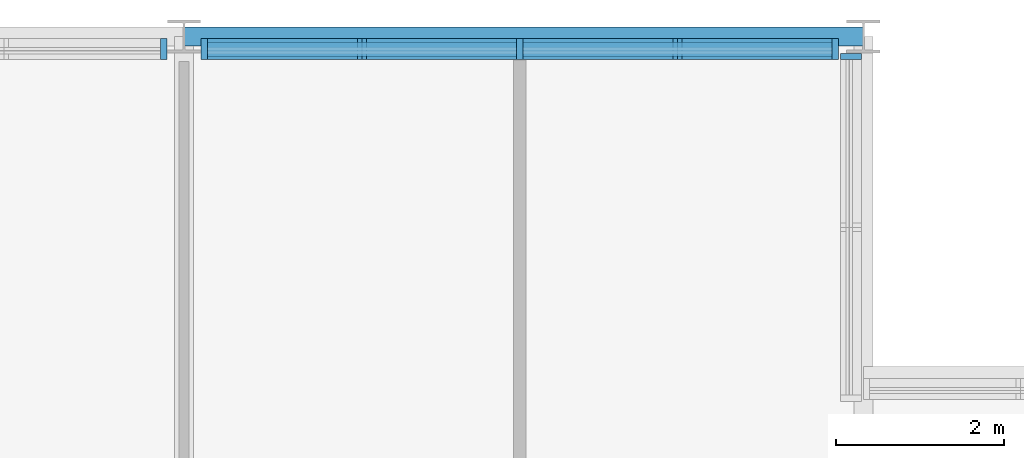
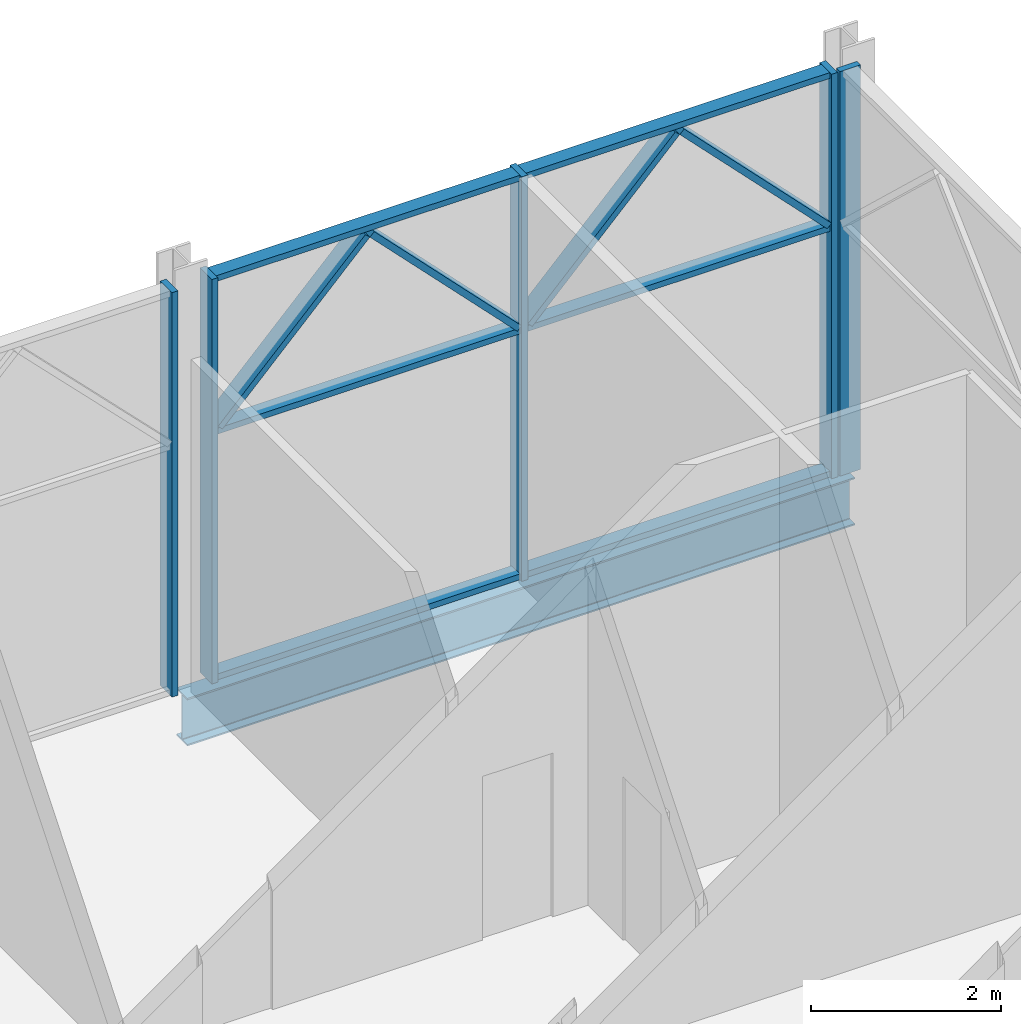
# One storey, part 13 of 26: 15 members, 1 beam, 3 elements without a shape of their own.
"""IFC4 building model written with IfcOpenShell, lengths in metres."""

from ifc_helpers import new_model, si_unit, direction, frame, origin, origin_2d, place, context, subcontext, project, spatial, rectangle, i_section, extrude, material, material_profile, profile_set, type_object, element, aggregate, save


model = new_model("IFC4")

# Units and contexts
model_context = context("Model", 3, precision=1e-05, world=origin(), true_north=direction((0.0, 1.0)))
body_context = subcontext(model_context, "Body", "Model", "MODEL_VIEW")
ifc_project = project(units=[si_unit("LENGTHUNIT", "METRE"), si_unit("AREAUNIT", "SQUARE_METRE"), si_unit("VOLUMEUNIT", "CUBIC_METRE"), si_unit("PLANEANGLEUNIT", "RADIAN"), si_unit("MASSUNIT", "GRAM", prefix="KILO")], contexts=[model_context])

# Site, building, storey
site_placement = place(None, origin())
site = spatial("IfcSite", under=ifc_project, at=site_placement, CompositionType="ELEMENT")
building_placement = place(site_placement, origin())
building = spatial("IfcBuilding", under=site, at=building_placement, Name="Kopane Lantern Tower", CompositionType="ELEMENT")
storey_placement = place(building_placement, frame((0.0, 0.0, 293.10009765625)))
storey = spatial("IfcBuildingStorey", under=building, at=storey_placement, Name="L75", CompositionType="ELEMENT", Elevation=293.10009765625)

# Beam
ifc_material_1 = material(Name="Steel S355JR", Category="steel")
ifc_material_profile_1 = material_profile(ifc_material_1, i_section(OverallWidth=0.22900390625, OverallDepth=0.6123046875, WebThickness=0.011962890625, FlangeThickness=0.01953125, FilletRadius=0.0126953125, at=origin_2d()), Name="UB 610x229x125")
ifc_profile_set_1 = profile_set([ifc_material_profile_1], Name="Steel S355JR")
beam_type = type_object("IfcBeamType", Name="GIRDER UB 610x229x125", PredefinedType="BEAM", material=ifc_profile_set_1)
beam_placement = place(storey_placement, frame((40.5, 64.800048828125, -0.51611328125), z_axis=(1.0, 0.0, 0.0), x_axis=(0.0, 1.0, 0.0)))
element("IfcBeam", 1, at=beam_placement, inside=storey, type_object=beam_type, Name="Girder L75", PredefinedType="BEAM", context=body_context, shape_type="SweptSolid", body=[
    extrude(i_section(OverallWidth=0.22900390625, OverallDepth=0.6123046875, WebThickness=0.011962890625, FlangeThickness=0.01953125, FilletRadius=0.0126953125, at=origin_2d()), origin(), (0.0, 0.0, 1.0), 8.10009765625),
])

# Curtain wall, member
ifc_material_2 = material(Name="Aluminium and clear glass", Category="aluminium")
curtain_wall_type = type_object("IfcCurtainWallType", Name="CURTAIN WALL CW5 SKY RESTAURANT", PredefinedType="USERDEFINED", material=ifc_material_2)
curtain_wall_1_placement = place(storey_placement, origin())
curtain_wall_1 = element("IfcCurtainWall", 2, at=curtain_wall_1_placement, inside=storey, type_object=curtain_wall_type, Name="Curtain wall CW5 E L75", ObjectType="CURTAIN WALL", PredefinedType="USERDEFINED")
ifc_material_3 = material(Name="Aluminium", Category="aluminium")
ifc_material_profile_2 = material_profile(ifc_material_3, rectangle(XDim=0.074951171875, YDim=0.25, at=origin_2d()), Name="AL 75x250")
ifc_profile_set_2 = profile_set([ifc_material_profile_2], Name="Aluminium")
member_type_1 = type_object("IfcMemberType", Name="MULLION CW5-M 75x250", PredefinedType="MULLION", material=ifc_profile_set_2)
member_1_placement = place(storey_placement, frame((48.449951171875, 64.560791015625, 0.0), z_axis=(0.0, 0.0, 1.0), x_axis=(0.0, 1.0, 0.0)))
member_1 = element("IfcMember", 3, at=member_1_placement, type_object=member_type_1, Name="CW5 mullion 2", PredefinedType="MULLION", context=body_context, shape_type="SweptSolid", body=[
    extrude(rectangle(XDim=0.074951171875, YDim=0.25, at=origin_2d()), origin(), (0.0, 0.0, 1.0), 5.18994140625),
])
aggregate(curtain_wall_1, [member_1])

# Curtain wall, members
curtain_wall_2_placement = place(storey_placement, origin())
curtain_wall_2 = element("IfcCurtainWall", 4, at=curtain_wall_2_placement, inside=storey, type_object=curtain_wall_type, Name="Curtain wall CW5 N L75", ObjectType="CURTAIN WALL", PredefinedType="USERDEFINED")
member_2_placement = place(storey_placement, frame((48.262451171875, 64.64990234375, 0.0), z_axis=(0.0, 0.0, 1.0), x_axis=(-1.0, 0.0, 0.0)))
member_2 = element("IfcMember", 5, at=member_2_placement, type_object=member_type_1, Name="CW5 mullion 1", PredefinedType="MULLION", context=body_context, shape_type="SweptSolid", body=[
    extrude(rectangle(XDim=0.074951171875, YDim=0.25, at=origin_2d()), origin(), (0.0, 0.0, 1.0), 5.18994140625),
])
member_3_placement = place(storey_placement, frame((44.502197265625, 64.64990234375, 0.0), z_axis=(0.0, 0.0, 1.0), x_axis=(-1.0, 0.0, 0.0)))
member_3 = element("IfcMember", 6, at=member_3_placement, type_object=member_type_1, Name="CW5 mullion 2", PredefinedType="MULLION", context=body_context, shape_type="SweptSolid", body=[
    extrude(rectangle(XDim=0.074951171875, YDim=0.25, at=origin_2d()), origin(), (0.0, 0.0, 1.0), 5.18994140625),
])
member_4_placement = place(storey_placement, frame((40.741943359375, 64.64990234375, 0.0), z_axis=(0.0, 0.0, 1.0), x_axis=(-1.0, 0.0, 0.0)))
member_4 = element("IfcMember", 7, at=member_4_placement, type_object=member_type_1, Name="CW5 mullion 3", PredefinedType="MULLION", context=body_context, shape_type="SweptSolid", body=[
    extrude(rectangle(XDim=0.074951171875, YDim=0.25, at=origin_2d()), origin(), (0.0, 0.0, 1.0), 5.18994140625),
])
member_5_placement = place(storey_placement, frame((48.197998046875, 64.64990234375, 3.253662109375), z_axis=(-0.698046409092, 0.0, 0.716052519549), x_axis=(0.716052519549, 0.0, 0.698046409092)))
member_5 = element("IfcMember", 8, at=member_5_placement, type_object=member_type_1, Name="CW5 lancet mullion 1L", PredefinedType="MULLION", context=body_context, shape_type="SweptSolid", body=[
    extrude(rectangle(XDim=0.074951171875, YDim=0.25, at=origin_2d()), origin(), (0.0, 0.0, 1.0), 2.5625),
])
member_6_placement = place(storey_placement, frame((44.566650390625, 64.64990234375, 3.253662109375), z_axis=(0.698046409092, 0.0, 0.716052519549), x_axis=(-0.716052519549, 0.0, 0.698046409092)))
member_6 = element("IfcMember", 9, at=member_6_placement, type_object=member_type_1, Name="CW5 lancet mullion 1R", PredefinedType="MULLION", context=body_context, shape_type="SweptSolid", body=[
    extrude(rectangle(XDim=0.074951171875, YDim=0.25, at=origin_2d()), origin(), (0.0, 0.0, 1.0), 2.5625),
])
member_7_placement = place(storey_placement, frame((44.43798828125, 64.64990234375, 3.253662109375), z_axis=(-0.698095252341, 0.0, 0.716004901282), x_axis=(0.716004901282, 0.0, 0.698095252341)))
member_7 = element("IfcMember", 10, at=member_7_placement, type_object=member_type_1, Name="CW5 lancet mullion 2L", PredefinedType="MULLION", context=body_context, shape_type="SweptSolid", body=[
    extrude(rectangle(XDim=0.074951171875, YDim=0.25, at=origin_2d()), origin(), (0.0, 0.0, 1.0), 2.562744140625),
])
member_8_placement = place(storey_placement, frame((40.806396484375, 64.64990234375, 3.253662109375), z_axis=(0.698046409092, 0.0, 0.716052519549), x_axis=(-0.716052519549, 0.0, 0.698046409092)))
member_8 = element("IfcMember", 11, at=member_8_placement, type_object=member_type_1, Name="CW5 lancet mullion 2R", PredefinedType="MULLION", context=body_context, shape_type="SweptSolid", body=[
    extrude(rectangle(XDim=0.074951171875, YDim=0.25, at=origin_2d()), origin(), (0.0, 0.0, 1.0), 2.5625),
])

# Curtain wall, member
curtain_wall_3_placement = place(storey_placement, origin())
curtain_wall_3 = element("IfcCurtainWall", 12, at=curtain_wall_3_placement, inside=storey, type_object=curtain_wall_type, Name="Curtain wall CW5 N L75", ObjectType="CURTAIN WALL", PredefinedType="USERDEFINED")
member_9_placement = place(storey_placement, frame((40.258056640625, 64.64990234375, 0.0), z_axis=(0.0, 0.0, 1.0), x_axis=(-1.0, 0.0, 0.0)))
member_9 = element("IfcMember", 13, at=member_9_placement, type_object=member_type_1, Name="CW5 mullion 1", PredefinedType="MULLION", context=body_context, shape_type="SweptSolid", body=[
    extrude(rectangle(XDim=0.074951171875, YDim=0.25, at=origin_2d()), origin(), (0.0, 0.0, 1.0), 5.18994140625),
])
aggregate(curtain_wall_3, [member_9])

# Member
ifc_material_4 = material(Name="Aluminium", Category="aluminium")
ifc_material_profile_3 = material_profile(ifc_material_4, rectangle(XDim=0.175048828125, YDim=0.074951171875, at=origin_2d()), Name="AL 175x75")
ifc_profile_set_3 = profile_set([ifc_material_profile_3], Name="Aluminium")
member_type_2 = type_object("IfcMemberType", Name="TRANSOM CW5-T 75x175", PredefinedType="USERDEFINED", material=ifc_profile_set_3)
member_10_placement = place(storey_placement, frame((48.22509765625, 64.64990234375, 0.037353515625), z_axis=(-1.0, 0.0, 0.0), x_axis=(0.0, -1.0, 0.0)))
member_10 = element("IfcMember", 14, at=member_10_placement, type_object=member_type_2, Name="CW5 transom 1.1", ObjectType="TRANSOM", PredefinedType="USERDEFINED", context=body_context, shape_type="SweptSolid", body=[
    extrude(rectangle(XDim=0.175048828125, YDim=0.074951171875, at=origin_2d()), origin(), (0.0, 0.0, 1.0), 3.685302734375),
])

member_11_placement = place(storey_placement, frame((48.22509765625, 64.64990234375, 3.18994140625), z_axis=(-1.0, 0.0, 0.0), x_axis=(0.0, -1.0, 0.0)))
member_11 = element("IfcMember", 15, at=member_11_placement, type_object=member_type_2, Name="CW5 transom 1.2", ObjectType="TRANSOM", PredefinedType="USERDEFINED", context=body_context, shape_type="SweptSolid", body=[
    extrude(rectangle(XDim=0.175048828125, YDim=0.074951171875, at=origin_2d()), origin(), (0.0, 0.0, 1.0), 3.685302734375),
])

member_12_placement = place(storey_placement, frame((48.22509765625, 64.64990234375, 5.15234375), z_axis=(-1.0, 0.0, 0.0), x_axis=(0.0, -1.0, 0.0)))
member_12 = element("IfcMember", 16, at=member_12_placement, type_object=member_type_2, Name="CW5 transom 1.3", ObjectType="TRANSOM", PredefinedType="USERDEFINED", context=body_context, shape_type="SweptSolid", body=[
    extrude(rectangle(XDim=0.175048828125, YDim=0.074951171875, at=origin_2d()), origin(), (0.0, 0.0, 1.0), 3.685302734375),
])

member_13_placement = place(storey_placement, frame((44.46484375, 64.64990234375, 0.037353515625), z_axis=(-1.0, 0.0, 0.0), x_axis=(0.0, -1.0, 0.0)))
member_13 = element("IfcMember", 17, at=member_13_placement, type_object=member_type_2, Name="CW5 transom 2.1", ObjectType="TRANSOM", PredefinedType="USERDEFINED", context=body_context, shape_type="SweptSolid", body=[
    extrude(rectangle(XDim=0.175048828125, YDim=0.074951171875, at=origin_2d()), origin(), (0.0, 0.0, 1.0), 3.685302734375),
])

member_14_placement = place(storey_placement, frame((44.46484375, 64.64990234375, 3.18994140625), z_axis=(-1.0, 0.0, 0.0), x_axis=(0.0, -1.0, 0.0)))
member_14 = element("IfcMember", 18, at=member_14_placement, type_object=member_type_2, Name="CW5 transom 2.2", ObjectType="TRANSOM", PredefinedType="USERDEFINED", context=body_context, shape_type="SweptSolid", body=[
    extrude(rectangle(XDim=0.175048828125, YDim=0.074951171875, at=origin_2d()), origin(), (0.0, 0.0, 1.0), 3.685302734375),
])

member_15_placement = place(storey_placement, frame((44.46484375, 64.64990234375, 5.15234375), z_axis=(-1.0, 0.0, 0.0), x_axis=(0.0, -1.0, 0.0)))
member_15 = element("IfcMember", 19, at=member_15_placement, type_object=member_type_2, Name="CW5 transom 2.3", ObjectType="TRANSOM", PredefinedType="USERDEFINED", context=body_context, shape_type="SweptSolid", body=[
    extrude(rectangle(XDim=0.175048828125, YDim=0.074951171875, at=origin_2d()), origin(), (0.0, 0.0, 1.0), 3.685302734375),
])

aggregate(curtain_wall_2, [member_2, member_3, member_4, member_10, member_11, member_12, member_13, member_14, member_15, member_5, member_6, member_7, member_8])

save(model, "model.ifc")
